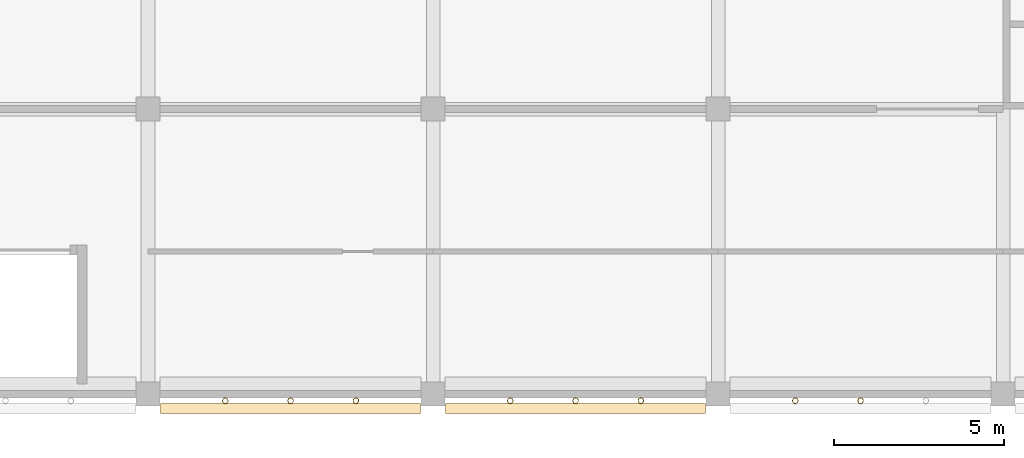
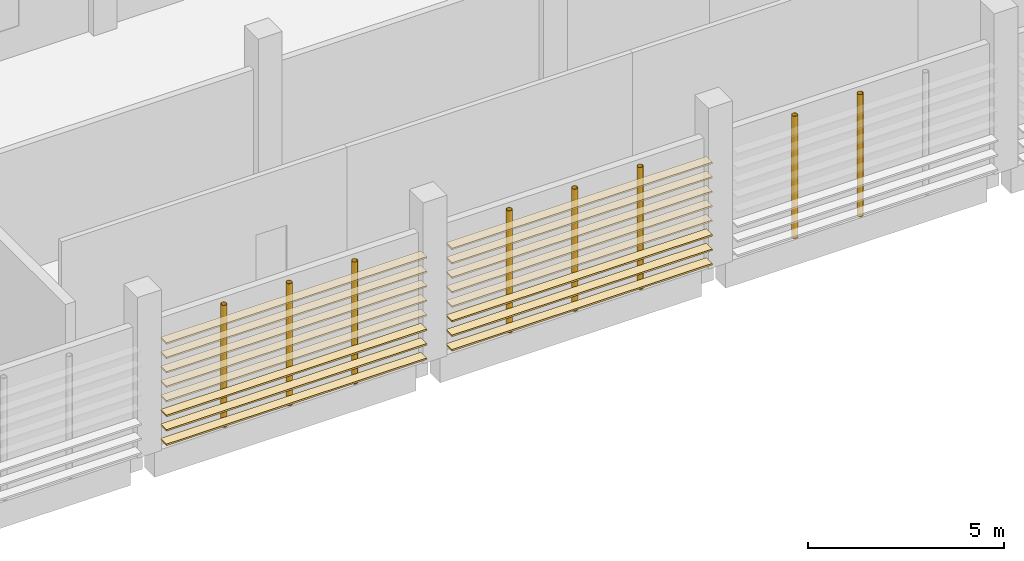
# One storey, part 58 of 82: 16 coverings, 8 shading devices.
"""IFC4 building model written with IfcOpenShell, lengths in metres."""

from ifc_helpers import new_model, si_unit, direction, frame, origin, origin_2d, place, context, subcontext, project, spatial, rectangle, hollow_circle, extrude, material, material_profile, profile_set, type_object, element, save


model = new_model("IFC4")

# Units and contexts
model_context = context("Model", 3, precision=1e-05, world=origin(), true_north=direction((0.0, 1.0)))
body_context = subcontext(model_context, "Body", "Model", "MODEL_VIEW")
ifc_project = project(units=[si_unit("LENGTHUNIT", "METRE"), si_unit("AREAUNIT", "SQUARE_METRE"), si_unit("VOLUMEUNIT", "CUBIC_METRE"), si_unit("PLANEANGLEUNIT", "RADIAN"), si_unit("MASSUNIT", "GRAM", prefix="KILO")], contexts=[model_context])

# Site, building, storey
site_placement = place(None, origin())
site = spatial("IfcSite", under=ifc_project, at=site_placement, CompositionType="ELEMENT")
building_placement = place(site_placement, origin())
building = spatial("IfcBuilding", under=site, at=building_placement, Name="Almond Square Museum", CompositionType="ELEMENT")
storey_placement = place(building_placement, frame((0.0, 0.0, 20.0)))
storey = spatial("IfcBuildingStorey", under=building, at=storey_placement, Name="L03", CompositionType="ELEMENT", Elevation=20.0)

# Shading devices
ifc_material_1 = material(Name="Structural steel S355", Category="steel")
ifc_material_profile_1 = material_profile(ifc_material_1, hollow_circle(Radius=0.084228515625, WallThickness=0.008056640625, at=origin_2d()))
ifc_profile_set_1 = profile_set([ifc_material_profile_1], Name="Structural steel S355")
shading_device_type = type_object("IfcShadingDeviceType", Name="Louvre post CHS 168.3 x 8", PredefinedType="USERDEFINED", material=ifc_profile_set_1)
for number, where, z_axis, x_axis, name in (
    (1, (100.675048828125, -0.194091796875, 0.0), (0.0, 0.0, 1.0), (1.0, 0.0, 0.0), "Louvre screen post"),
    (2, (102.60009765625, -0.194091796875, 0.0), (0.0, 0.0, 1.0), (1.0, 0.0, 0.0), "Louvre screen post"),
    (3, (104.52490234375, -0.194091796875, 0.0), (0.0, 0.0, 1.0), (1.0, 0.0, 0.0), "Louvre screen post"),
    (4, (109.074951171875, -0.194091796875, 0.0), (0.0, 0.0, 1.0), (1.0, 0.0, 0.0), "Louvre screen post"),
    (5, (111.0, -0.194091796875, 0.0), (0.0, 0.0, 1.0), (1.0, 0.0, 0.0), "Louvre screen post"),
    (6, (112.925048828125, -0.194091796875, 0.0), (0.0, 0.0, 1.0), (1.0, 0.0, 0.0), "Louvre screen post"),
    (7, (117.47509765625, -0.194091796875, 0.0), (0.0, 0.0, 1.0), (1.0, 0.0, 0.0), "Louvre screen post"),
    (8, (119.39990234375, -0.194091796875, 0.0), (0.0, 0.0, 1.0), (1.0, 0.0, 0.0), "Louvre screen post"),
):
    element("IfcShadingDevice", number, at=place(storey_placement, frame(where, z_axis=z_axis, x_axis=x_axis)), inside=storey, type_object=shading_device_type, Name=name, ObjectType="POST", PredefinedType="USERDEFINED", context=body_context, shape_type="SweptSolid", body=[
        extrude(hollow_circle(Radius=0.084228515625, WallThickness=0.008056640625, at=origin_2d()), origin(), (0.0, 0.0, 1.0), 3.800048828125),
    ])

# Coverings
ifc_material_2 = material(Name="Cedar timber louvre board", Category="wood")
ifc_material_profile_2 = material_profile(ifc_material_2, rectangle(XDim=0.300048828125, YDim=0.050048828125, at=origin_2d()))
ifc_profile_set_2 = profile_set([ifc_material_profile_2], Name="Cedar timber louvre board")
covering_type = type_object("IfcCoveringType", Name="Louvre screen board 300 x 50", PredefinedType="CLADDING", material=ifc_profile_set_2)
for number, where, z_axis, x_axis, name in (
    (9, (98.77001953125, -0.42431640625, 0.300048828125), (1.0, 0.0, 0.0), (0.0, 1.0, 0.0), "Louvre screen board"),
    (10, (98.77001953125, -0.42431640625, 0.75), (1.0, 0.0, 0.0), (0.0, 1.0, 0.0), "Louvre screen board"),
    (11, (98.77001953125, -0.42431640625, 1.199951171875), (1.0, 0.0, 0.0), (0.0, 1.0, 0.0), "Louvre screen board"),
    (12, (98.77001953125, -0.42431640625, 1.64990234375), (1.0, 0.0, 0.0), (0.0, 1.0, 0.0), "Louvre screen board"),
    (13, (98.77001953125, -0.42431640625, 2.10009765625), (1.0, 0.0, 0.0), (0.0, 1.0, 0.0), "Louvre screen board"),
    (14, (98.77001953125, -0.42431640625, 2.550048828125), (1.0, 0.0, 0.0), (0.0, 1.0, 0.0), "Louvre screen board"),
    (15, (98.77001953125, -0.42431640625, 3.0), (1.0, 0.0, 0.0), (0.0, 1.0, 0.0), "Louvre screen board"),
    (16, (98.77001953125, -0.42431640625, 3.449951171875), (1.0, 0.0, 0.0), (0.0, 1.0, 0.0), "Louvre screen board"),
):
    element("IfcCovering", number, at=place(storey_placement, frame(where, z_axis=z_axis, x_axis=x_axis)), inside=storey, type_object=covering_type, Name=name, PredefinedType="CLADDING", context=body_context, shape_type="SweptSolid", body=[
        extrude(rectangle(XDim=0.300048828125, YDim=0.050048828125, at=origin_2d()), origin(), (0.0, 0.0, 1.0), 7.659912109375),
    ])
for number, where, z_axis, x_axis, name in (
    (17, (107.169921875, -0.42431640625, 0.300048828125), (1.0, 0.0, 0.0), (0.0, 1.0, 0.0), "Louvre screen board"),
    (18, (107.169921875, -0.42431640625, 0.75), (1.0, 0.0, 0.0), (0.0, 1.0, 0.0), "Louvre screen board"),
    (19, (107.169921875, -0.42431640625, 1.199951171875), (1.0, 0.0, 0.0), (0.0, 1.0, 0.0), "Louvre screen board"),
    (20, (107.169921875, -0.42431640625, 1.64990234375), (1.0, 0.0, 0.0), (0.0, 1.0, 0.0), "Louvre screen board"),
    (21, (107.169921875, -0.42431640625, 2.10009765625), (1.0, 0.0, 0.0), (0.0, 1.0, 0.0), "Louvre screen board"),
    (22, (107.169921875, -0.42431640625, 2.550048828125), (1.0, 0.0, 0.0), (0.0, 1.0, 0.0), "Louvre screen board"),
    (23, (107.169921875, -0.42431640625, 3.0), (1.0, 0.0, 0.0), (0.0, 1.0, 0.0), "Louvre screen board"),
    (24, (107.169921875, -0.42431640625, 3.449951171875), (1.0, 0.0, 0.0), (0.0, 1.0, 0.0), "Louvre screen board"),
):
    element("IfcCovering", number, at=place(storey_placement, frame(where, z_axis=z_axis, x_axis=x_axis)), inside=storey, type_object=covering_type, Name=name, PredefinedType="CLADDING", context=body_context, shape_type="SweptSolid", body=[
        extrude(rectangle(XDim=0.300048828125, YDim=0.050048828125, at=origin_2d()), origin(), (0.0, 0.0, 1.0), 7.66015625),
    ])

save(model, "model.ifc")
